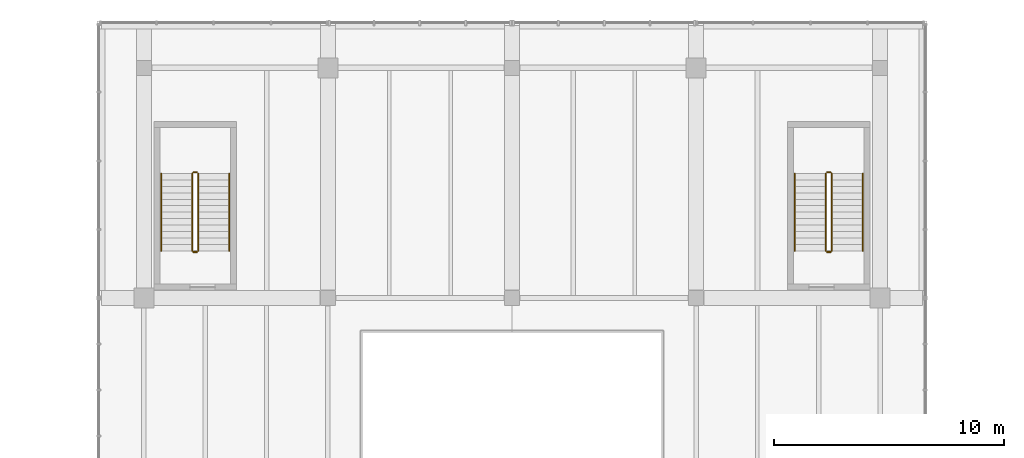
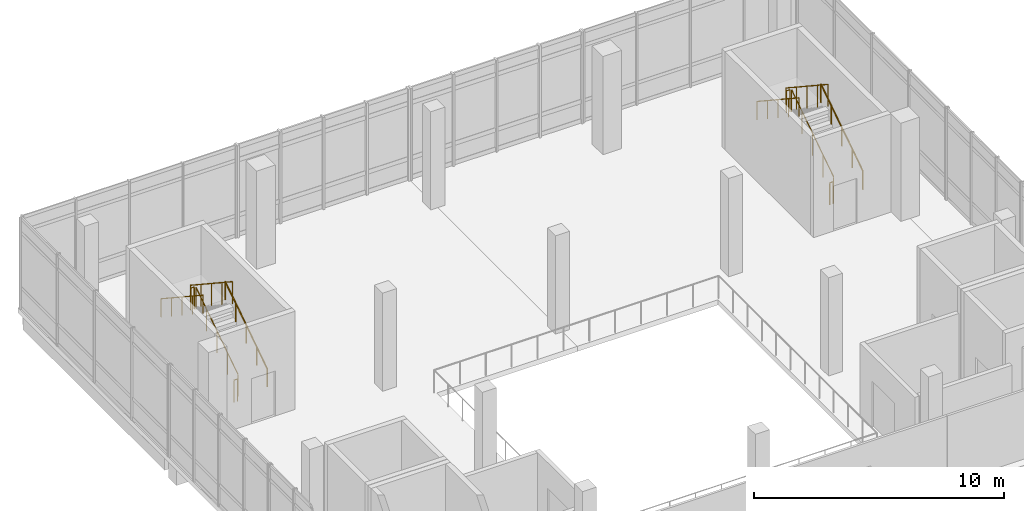
# One storey, part 28 of 28: 12 railings.
"""IFC4 building model written with IfcOpenShell, lengths in metres."""

from ifc_helpers import new_model, si_unit, direction, frame, origin, origin_2d, place, context, subcontext, project, spatial, circle, extrude, material, type_object, element, save


model = new_model("IFC4")

# Units and contexts
model_context = context("Model", 3, precision=1e-05, world=origin(), true_north=direction((0.0, 1.0)))
body_context = subcontext(model_context, "Body", "Model", "MODEL_VIEW")
ifc_project = project(units=[si_unit("LENGTHUNIT", "METRE"), si_unit("AREAUNIT", "SQUARE_METRE"), si_unit("VOLUMEUNIT", "CUBIC_METRE"), si_unit("PLANEANGLEUNIT", "RADIAN"), si_unit("MASSUNIT", "GRAM", prefix="KILO")], contexts=[model_context])

# Site, building, storey
site_placement = place(None, origin())
site = spatial("IfcSite", under=ifc_project, at=site_placement, CompositionType="ELEMENT")
building_placement = place(site_placement, origin())
building = spatial("IfcBuilding", under=site, at=building_placement, Name="Pecanmere Concourse Central Library", CompositionType="ELEMENT")
storey_placement = place(building_placement, frame((0.0, 0.0, 20.10009765625)))
storey = spatial("IfcBuildingStorey", under=building, at=storey_placement, Name="L05", CompositionType="ELEMENT", Elevation=20.10009765625)

# Railings
ifc_material_1 = material(Name="Painted architectural steel ASTM A36", Category="steel")
railing_type_1 = type_object("IfcRailingType", Name="RAIL_STAIR_GUARD", PredefinedType="GUARDRAIL", material=ifc_material_1)
railing_1_placement = place(storey_placement, frame((74.360107421875, 116.050048828125, 0.1845703125)))
element("IfcRailing", 1, at=railing_1_placement, inside=storey, type_object=railing_type_1, Name="L05 ST-03 Guard 1", PredefinedType="GUARDRAIL", context=body_context, shape_type="SweptSolid", body=[
    extrude(circle(Radius=0.02392578125, at=origin_2d()), frame((0.0, 0.0, 1.076171875), z_axis=(0.0, 0.834858096282, 0.550465220583), x_axis=(-1.0, 0.0, 0.0)), (0.0, 0.0, 1.0), 4.0244140625),
    extrude(circle(Radius=0.02099609375, at=origin_2d()), origin(), (0.0, 0.0, 1.0), 1.052001953125),
    extrude(circle(Radius=0.02099609375, at=origin_2d()), frame((0.0, 0.83984375, 0.5537109375)), (0.0, 0.0, 1.0), 1.052001953125),
    extrude(circle(Radius=0.02099609375, at=origin_2d()), frame((0.0, 1.679931640625, 1.107666015625)), (0.0, 0.0, 1.0), 1.052001953125),
    extrude(circle(Radius=0.02099609375, at=origin_2d()), frame((0.0, 2.52001953125, 1.66162109375)), (0.0, 0.0, 1.0), 1.052001953125),
    extrude(circle(Radius=0.02099609375, at=origin_2d()), frame((0.0, 3.35986328125, 2.21533203125)), (0.0, 0.0, 1.0), 1.052001953125),
])
railing_2_placement = place(storey_placement, frame((74.31005859375, 119.4599609375, 2.39990234375)))
element("IfcRailing", 2, at=railing_2_placement, inside=storey, type_object=railing_type_1, Name="L05 ST-03 Guard 2", PredefinedType="GUARDRAIL", context=body_context, shape_type="SweptSolid", body=[
    extrude(circle(Radius=0.02392578125, at=origin_2d()), frame((0.0, 0.0, 1.076171875), z_axis=(-1.0, 0.0, 0.0), x_axis=(0.0, -1.0, 0.0)), (0.0, 0.0, 1.0), 0.16015625),
    extrude(circle(Radius=0.02099609375, at=origin_2d()), origin(), (0.0, 0.0, 1.0), 1.052001953125),
    extrude(circle(Radius=0.02099609375, at=origin_2d()), frame((-0.16015625, 0.0, 0.0)), (0.0, 0.0, 1.0), 1.052001953125),
])
railing_3_placement = place(storey_placement, frame((74.10009765625, 119.409912109375, 2.58447265625)))
element("IfcRailing", 3, at=railing_3_placement, inside=storey, type_object=railing_type_1, Name="L05 ST-03 Guard 3", PredefinedType="GUARDRAIL", context=body_context, shape_type="SweptSolid", body=[
    extrude(circle(Radius=0.02392578125, at=origin_2d()), frame((0.0, 0.0, 1.076171875), z_axis=(0.0, -0.834858096282, 0.550465220583), x_axis=(1.0, 0.0, 0.0)), (0.0, 0.0, 1.0), 4.0244140625),
    extrude(circle(Radius=0.02099609375, at=origin_2d()), origin(), (0.0, 0.0, 1.0), 1.052001953125),
    extrude(circle(Radius=0.02099609375, at=origin_2d()), frame((0.0, -0.83984375, 0.5537109375)), (0.0, 0.0, 1.0), 1.052001953125),
    extrude(circle(Radius=0.02099609375, at=origin_2d()), frame((0.0, -1.679931640625, 1.107666015625)), (0.0, 0.0, 1.0), 1.052001953125),
    extrude(circle(Radius=0.02099609375, at=origin_2d()), frame((0.0, -2.52001953125, 1.66162109375)), (0.0, 0.0, 1.0), 1.052001953125),
    extrude(circle(Radius=0.02099609375, at=origin_2d()), frame((0.0, -3.35986328125, 2.21533203125)), (0.0, 0.0, 1.0), 1.052001953125),
])
railing_4_placement = place(storey_placement, frame((74.31005859375, 116.0, 0.0)))
element("IfcRailing", 4, at=railing_4_placement, inside=storey, type_object=railing_type_1, Name="L05 ST-03 Guard 4", PredefinedType="GUARDRAIL", context=body_context, shape_type="SweptSolid", body=[
    extrude(circle(Radius=0.02392578125, at=origin_2d()), frame((0.0, 0.0, 1.076171875), z_axis=(-1.0, 0.0, 0.0), x_axis=(0.0, -1.0, 0.0)), (0.0, 0.0, 1.0), 0.16015625),
    extrude(circle(Radius=0.02099609375, at=origin_2d()), origin(), (0.0, 0.0, 1.0), 1.052001953125),
    extrude(circle(Radius=0.02099609375, at=origin_2d()), frame((-0.16015625, 0.0, 0.0)), (0.0, 0.0, 1.0), 1.052001953125),
])
railing_5_placement = place(storey_placement, frame((101.89990234375, 116.050048828125, 0.1845703125)))
element("IfcRailing", 5, at=railing_5_placement, inside=storey, type_object=railing_type_1, Name="L05 ST-04 Guard 1", PredefinedType="GUARDRAIL", context=body_context, shape_type="SweptSolid", body=[
    extrude(circle(Radius=0.02392578125, at=origin_2d()), frame((0.0, 0.0, 1.076171875), z_axis=(0.0, 0.834858096282, 0.550465220583), x_axis=(-1.0, 0.0, 0.0)), (0.0, 0.0, 1.0), 4.0244140625),
    extrude(circle(Radius=0.02099609375, at=origin_2d()), origin(), (0.0, 0.0, 1.0), 1.052001953125),
    extrude(circle(Radius=0.02099609375, at=origin_2d()), frame((0.0, 0.83984375, 0.5537109375)), (0.0, 0.0, 1.0), 1.052001953125),
    extrude(circle(Radius=0.02099609375, at=origin_2d()), frame((0.0, 1.679931640625, 1.107666015625)), (0.0, 0.0, 1.0), 1.052001953125),
    extrude(circle(Radius=0.02099609375, at=origin_2d()), frame((0.0, 2.52001953125, 1.66162109375)), (0.0, 0.0, 1.0), 1.052001953125),
    extrude(circle(Radius=0.02099609375, at=origin_2d()), frame((0.0, 3.35986328125, 2.21533203125)), (0.0, 0.0, 1.0), 1.052001953125),
])
railing_6_placement = place(storey_placement, frame((101.85009765625, 119.4599609375, 2.39990234375)))
element("IfcRailing", 6, at=railing_6_placement, inside=storey, type_object=railing_type_1, Name="L05 ST-04 Guard 2", PredefinedType="GUARDRAIL", context=body_context, shape_type="SweptSolid", body=[
    extrude(circle(Radius=0.02392578125, at=origin_2d()), frame((0.0, 0.0, 1.076171875), z_axis=(-1.0, 0.0, 0.0), x_axis=(0.0, -1.0, 0.0)), (0.0, 0.0, 1.0), 0.16015625),
    extrude(circle(Radius=0.02099609375, at=origin_2d()), origin(), (0.0, 0.0, 1.0), 1.052001953125),
    extrude(circle(Radius=0.02099609375, at=origin_2d()), frame((-0.16015625, 0.0, 0.0)), (0.0, 0.0, 1.0), 1.052001953125),
])
railing_7_placement = place(storey_placement, frame((101.639892578125, 119.409912109375, 2.58447265625)))
element("IfcRailing", 7, at=railing_7_placement, inside=storey, type_object=railing_type_1, Name="L05 ST-04 Guard 3", PredefinedType="GUARDRAIL", context=body_context, shape_type="SweptSolid", body=[
    extrude(circle(Radius=0.02392578125, at=origin_2d()), frame((0.0, 0.0, 1.076171875), z_axis=(0.0, -0.834858096282, 0.550465220583), x_axis=(1.0, 0.0, 0.0)), (0.0, 0.0, 1.0), 4.0244140625),
    extrude(circle(Radius=0.02099609375, at=origin_2d()), origin(), (0.0, 0.0, 1.0), 1.052001953125),
    extrude(circle(Radius=0.02099609375, at=origin_2d()), frame((0.0, -0.83984375, 0.5537109375)), (0.0, 0.0, 1.0), 1.052001953125),
    extrude(circle(Radius=0.02099609375, at=origin_2d()), frame((0.0, -1.679931640625, 1.107666015625)), (0.0, 0.0, 1.0), 1.052001953125),
    extrude(circle(Radius=0.02099609375, at=origin_2d()), frame((0.0, -2.52001953125, 1.66162109375)), (0.0, 0.0, 1.0), 1.052001953125),
    extrude(circle(Radius=0.02099609375, at=origin_2d()), frame((0.0, -3.35986328125, 2.21533203125)), (0.0, 0.0, 1.0), 1.052001953125),
])
railing_8_placement = place(storey_placement, frame((101.85009765625, 116.0, 0.0)))
element("IfcRailing", 8, at=railing_8_placement, inside=storey, type_object=railing_type_1, Name="L05 ST-04 Guard 4", PredefinedType="GUARDRAIL", context=body_context, shape_type="SweptSolid", body=[
    extrude(circle(Radius=0.02392578125, at=origin_2d()), frame((0.0, 0.0, 1.076171875), z_axis=(-1.0, 0.0, 0.0), x_axis=(0.0, -1.0, 0.0)), (0.0, 0.0, 1.0), 0.16015625),
    extrude(circle(Radius=0.02099609375, at=origin_2d()), origin(), (0.0, 0.0, 1.0), 1.052001953125),
    extrude(circle(Radius=0.02099609375, at=origin_2d()), frame((-0.16015625, 0.0, 0.0)), (0.0, 0.0, 1.0), 1.052001953125),
])
ifc_material_2 = material(Name="Brushed stainless steel Grade 316", Category="steel")
railing_type_2 = type_object("IfcRailingType", Name="RAIL_STAIR_HR", PredefinedType="HANDRAIL", material=ifc_material_2)
railing_9_placement = place(storey_placement, frame((75.7099609375, 116.050048828125, 0.1845703125)))
element("IfcRailing", 9, at=railing_9_placement, inside=storey, type_object=railing_type_2, Name="L05 ST-03 Handrail 1", PredefinedType="HANDRAIL", context=body_context, shape_type="SweptSolid", body=[
    extrude(circle(Radius=0.02392578125, at=origin_2d()), frame((0.0, 0.0, 0.89111328125), z_axis=(0.0, 0.834858096282, 0.550465220583), x_axis=(-1.0, 0.0, 0.0)), (0.0, 0.0, 1.0), 4.0244140625),
    extrude(circle(Radius=0.02099609375, at=origin_2d()), origin(), (0.0, 0.0, 1.0), 0.866943359375),
    extrude(circle(Radius=0.02099609375, at=origin_2d()), frame((0.0, 0.83984375, 0.5537109375)), (0.0, 0.0, 1.0), 0.866943359375),
    extrude(circle(Radius=0.02099609375, at=origin_2d()), frame((0.0, 1.679931640625, 1.107666015625)), (0.0, 0.0, 1.0), 0.866943359375),
    extrude(circle(Radius=0.02099609375, at=origin_2d()), frame((0.0, 2.52001953125, 1.66162109375)), (0.0, 0.0, 1.0), 0.866943359375),
    extrude(circle(Radius=0.02099609375, at=origin_2d()), frame((0.0, 3.35986328125, 2.21533203125)), (0.0, 0.0, 1.0), 0.866943359375),
])
railing_10_placement = place(storey_placement, frame((72.75, 119.409912109375, 2.58447265625)))
element("IfcRailing", 10, at=railing_10_placement, inside=storey, type_object=railing_type_2, Name="L05 ST-03 Handrail 2", PredefinedType="HANDRAIL", context=body_context, shape_type="SweptSolid", body=[
    extrude(circle(Radius=0.02392578125, at=origin_2d()), frame((0.0, 0.0, 0.89111328125), z_axis=(0.0, -0.834858096282, 0.550465220583), x_axis=(1.0, 0.0, 0.0)), (0.0, 0.0, 1.0), 4.0244140625),
    extrude(circle(Radius=0.02099609375, at=origin_2d()), origin(), (0.0, 0.0, 1.0), 0.866943359375),
    extrude(circle(Radius=0.02099609375, at=origin_2d()), frame((0.0, -0.83984375, 0.5537109375)), (0.0, 0.0, 1.0), 0.866943359375),
    extrude(circle(Radius=0.02099609375, at=origin_2d()), frame((0.0, -1.679931640625, 1.107666015625)), (0.0, 0.0, 1.0), 0.866943359375),
    extrude(circle(Radius=0.02099609375, at=origin_2d()), frame((0.0, -2.52001953125, 1.66162109375)), (0.0, 0.0, 1.0), 0.866943359375),
    extrude(circle(Radius=0.02099609375, at=origin_2d()), frame((0.0, -3.35986328125, 2.21533203125)), (0.0, 0.0, 1.0), 0.866943359375),
])
railing_11_placement = place(storey_placement, frame((103.25, 116.050048828125, 0.1845703125)))
element("IfcRailing", 11, at=railing_11_placement, inside=storey, type_object=railing_type_2, Name="L05 ST-04 Handrail 1", PredefinedType="HANDRAIL", context=body_context, shape_type="SweptSolid", body=[
    extrude(circle(Radius=0.02392578125, at=origin_2d()), frame((0.0, 0.0, 0.89111328125), z_axis=(0.0, 0.834858096282, 0.550465220583), x_axis=(-1.0, 0.0, 0.0)), (0.0, 0.0, 1.0), 4.0244140625),
    extrude(circle(Radius=0.02099609375, at=origin_2d()), origin(), (0.0, 0.0, 1.0), 0.866943359375),
    extrude(circle(Radius=0.02099609375, at=origin_2d()), frame((0.0, 0.83984375, 0.5537109375)), (0.0, 0.0, 1.0), 0.866943359375),
    extrude(circle(Radius=0.02099609375, at=origin_2d()), frame((0.0, 1.679931640625, 1.107666015625)), (0.0, 0.0, 1.0), 0.866943359375),
    extrude(circle(Radius=0.02099609375, at=origin_2d()), frame((0.0, 2.52001953125, 1.66162109375)), (0.0, 0.0, 1.0), 0.866943359375),
    extrude(circle(Radius=0.02099609375, at=origin_2d()), frame((0.0, 3.35986328125, 2.21533203125)), (0.0, 0.0, 1.0), 0.866943359375),
])
railing_12_placement = place(storey_placement, frame((100.2900390625, 119.409912109375, 2.58447265625)))
element("IfcRailing", 12, at=railing_12_placement, inside=storey, type_object=railing_type_2, Name="L05 ST-04 Handrail 2", PredefinedType="HANDRAIL", context=body_context, shape_type="SweptSolid", body=[
    extrude(circle(Radius=0.02392578125, at=origin_2d()), frame((0.0, 0.0, 0.89111328125), z_axis=(0.0, -0.834858096282, 0.550465220583), x_axis=(1.0, 0.0, 0.0)), (0.0, 0.0, 1.0), 4.0244140625),
    extrude(circle(Radius=0.02099609375, at=origin_2d()), origin(), (0.0, 0.0, 1.0), 0.866943359375),
    extrude(circle(Radius=0.02099609375, at=origin_2d()), frame((0.0, -0.83984375, 0.5537109375)), (0.0, 0.0, 1.0), 0.866943359375),
    extrude(circle(Radius=0.02099609375, at=origin_2d()), frame((0.0, -1.679931640625, 1.107666015625)), (0.0, 0.0, 1.0), 0.866943359375),
    extrude(circle(Radius=0.02099609375, at=origin_2d()), frame((0.0, -2.52001953125, 1.66162109375)), (0.0, 0.0, 1.0), 0.866943359375),
    extrude(circle(Radius=0.02099609375, at=origin_2d()), frame((0.0, -3.35986328125, 2.21533203125)), (0.0, 0.0, 1.0), 0.866943359375),
])

save(model, "model.ifc")
